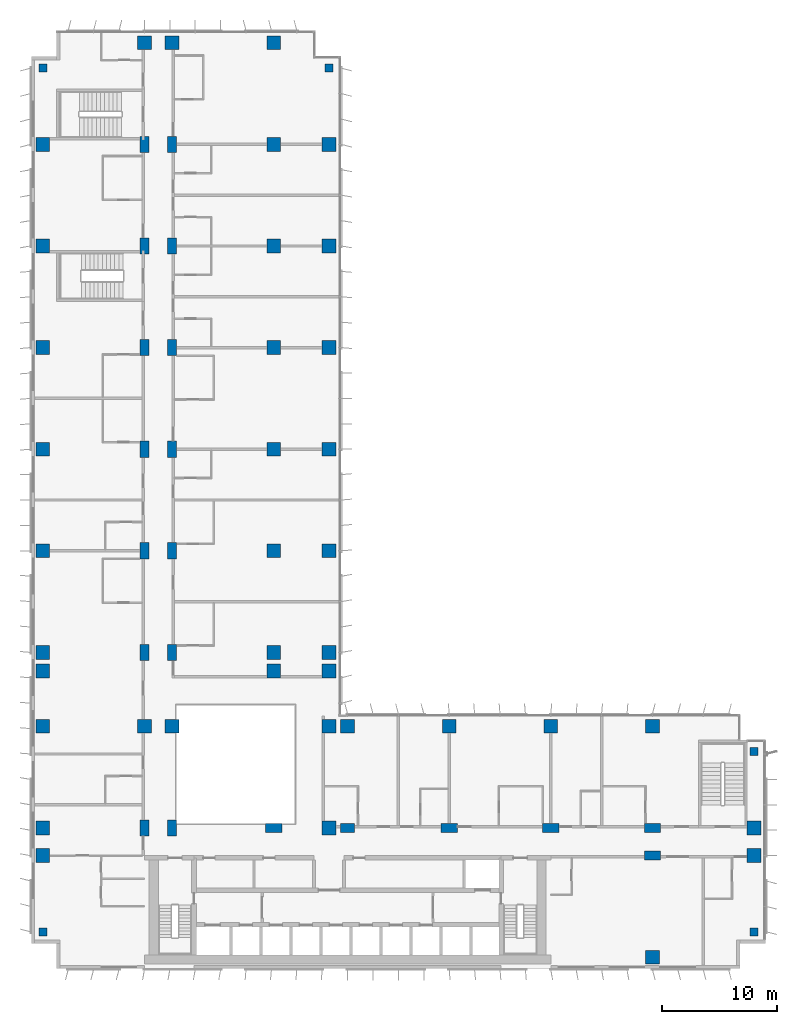
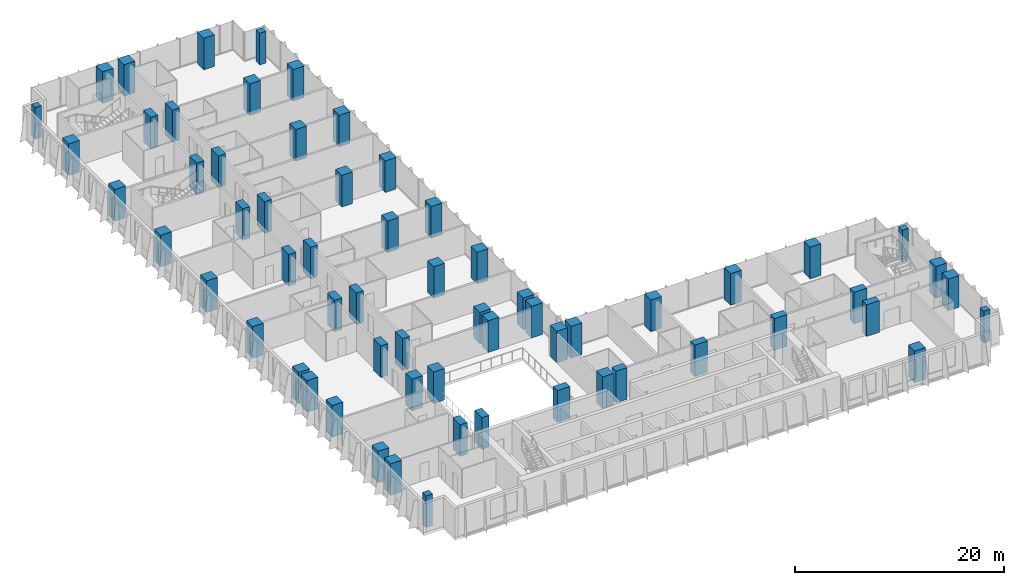
# One storey, part 1 of 22: 63 columns.
"""IFC4 building model written with IfcOpenShell, lengths in metres."""

from ifc_helpers import new_model, si_unit, direction, frame, origin, origin_2d, place, context, subcontext, project, spatial, rectangle, extrude, material, material_profile, profile_set, type_object, element, save


model = new_model("IFC4")

# Units and contexts
model_context = context("Model", 3, precision=1e-05, world=origin(), true_north=direction((0.0, 1.0)))
body_context = subcontext(model_context, "Body", "Model", "MODEL_VIEW")
ifc_project = project(units=[si_unit("LENGTHUNIT", "METRE"), si_unit("AREAUNIT", "SQUARE_METRE"), si_unit("VOLUMEUNIT", "CUBIC_METRE"), si_unit("PLANEANGLEUNIT", "RADIAN"), si_unit("MASSUNIT", "GRAM", prefix="KILO")], contexts=[model_context])

# Site, building, storey
site_placement = place(None, origin())
site = spatial("IfcSite", under=ifc_project, at=site_placement, CompositionType="ELEMENT")
building_placement = place(site_placement, origin())
building = spatial("IfcBuilding", under=site, at=building_placement, Name="Kemantara Hotel Tower", CompositionType="ELEMENT")
storey_placement = place(building_placement, frame((0.0, 0.0, 90.800048828125)))
storey = spatial("IfcBuildingStorey", under=building, at=storey_placement, Name="L21", CompositionType="ELEMENT", Elevation=90.800048828125)

# Columns
ifc_material = material(Name="Concrete fc 70 MPa", Category="concrete")
ifc_material_profile_1 = material_profile(ifc_material, rectangle(XDim=1.199951171875, YDim=1.199951171875, at=origin_2d()), Name="RC 1200X1200")
ifc_profile_set_1 = profile_set([ifc_material_profile_1], Name="Concrete fc 70 MPa")
column_type_1 = type_object("IfcColumnType", Name="RC COLUMN 1200X1200 FC70", PredefinedType="COLUMN", material=ifc_profile_set_1)
for number, where, z_axis, x_axis, name in (
    (1, (1.0, 9.800048828125, 0.0), (0.0, 0.0, 1.0), (1.0, 0.0, 0.0), "COLUMN 1/B L21"),
    (2, (1.0, 12.199951171875, 0.0), (0.0, 0.0, 1.0), (1.0, 0.0, 0.0), "COLUMN 1/BA L21"),
    (3, (1.0, 21.0, 0.0), (0.0, 0.0, 1.0), (1.0, 0.0, 0.0), "COLUMN 1/C L21"),
    (4, (1.0, 25.800048828125, 0.0), (0.0, 0.0, 1.0), (1.0, 0.0, 0.0), "COLUMN 1/CA L21"),
    (5, (1.0, 27.39990234375, 0.0), (0.0, 0.0, 1.0), (1.0, 0.0, 0.0), "COLUMN 1/D L21"),
    (6, (1.0, 36.199951171875, 0.0), (0.0, 0.0, 1.0), (1.0, 0.0, 0.0), "COLUMN 1/E L21"),
    (7, (1.0, 45.0, 0.0), (0.0, 0.0, 1.0), (1.0, 0.0, 0.0), "COLUMN 1/F L21"),
    (8, (1.0, 53.800048828125, 0.0), (0.0, 0.0, 1.0), (1.0, 0.0, 0.0), "COLUMN 1/G L21"),
    (9, (1.0, 62.60009765625, 0.0), (0.0, 0.0, 1.0), (1.0, 0.0, 0.0), "COLUMN 1/H L21"),
    (10, (1.0, 71.39990234375, 0.0), (0.0, 0.0, 1.0), (1.0, 0.0, 0.0), "COLUMN 1/J L21"),
    (11, (9.800048828125, 21.0, 0.0), (0.0, 0.0, 1.0), (1.0, 0.0, 0.0), "COLUMN 2/C L21"),
    (12, (9.800048828125, 80.199951171875, 0.0), (0.0, 0.0, 1.0), (1.0, 0.0, 0.0), "COLUMN 2/K L21"),
    (13, (12.199951171875, 21.0, 0.0), (0.0, 0.0, 1.0), (1.0, 0.0, 0.0), "COLUMN 2A/C L21"),
    (14, (12.199951171875, 80.199951171875, 0.0), (0.0, 0.0, 1.0), (1.0, 0.0, 0.0), "COLUMN 2A/K L21"),
    (15, (21.0, 25.800048828125, 0.0), (0.0, 0.0, 1.0), (1.0, 0.0, 0.0), "COLUMN 3/CA L21"),
    (16, (21.0, 27.39990234375, 0.0), (0.0, 0.0, 1.0), (1.0, 0.0, 0.0), "COLUMN 3/D L21"),
    (17, (21.0, 36.199951171875, 0.0), (0.0, 0.0, 1.0), (1.0, 0.0, 0.0), "COLUMN 3/E L21"),
    (18, (21.0, 45.0, 0.0), (0.0, 0.0, 1.0), (1.0, 0.0, 0.0), "COLUMN 3/F L21"),
    (19, (21.0, 53.800048828125, 0.0), (0.0, 0.0, 1.0), (1.0, 0.0, 0.0), "COLUMN 3/G L21"),
    (20, (21.0, 62.60009765625, 0.0), (0.0, 0.0, 1.0), (1.0, 0.0, 0.0), "COLUMN 3/H L21"),
    (21, (21.0, 71.39990234375, 0.0), (0.0, 0.0, 1.0), (1.0, 0.0, 0.0), "COLUMN 3/J L21"),
    (22, (21.0, 80.199951171875, 0.0), (0.0, 0.0, 1.0), (1.0, 0.0, 0.0), "COLUMN 3/K L21"),
    (23, (25.800048828125, 12.199951171875, 0.0), (0.0, 0.0, 1.0), (1.0, 0.0, 0.0), "COLUMN 3A/BA L21"),
    (24, (25.800048828125, 21.0, 0.0), (0.0, 0.0, 1.0), (1.0, 0.0, 0.0), "COLUMN 3A/C L21"),
    (25, (25.800048828125, 25.800048828125, 0.0), (0.0, 0.0, 1.0), (1.0, 0.0, 0.0), "COLUMN 3A/CA L21"),
    (26, (25.800048828125, 27.39990234375, 0.0), (0.0, 0.0, 1.0), (1.0, 0.0, 0.0), "COLUMN 3A/D L21"),
    (27, (25.800048828125, 36.199951171875, 0.0), (0.0, 0.0, 1.0), (1.0, 0.0, 0.0), "COLUMN 3A/E L21"),
    (28, (25.800048828125, 45.0, 0.0), (0.0, 0.0, 1.0), (1.0, 0.0, 0.0), "COLUMN 3A/F L21"),
    (29, (25.800048828125, 53.800048828125, 0.0), (0.0, 0.0, 1.0), (1.0, 0.0, 0.0), "COLUMN 3A/G L21"),
    (30, (25.800048828125, 62.60009765625, 0.0), (0.0, 0.0, 1.0), (1.0, 0.0, 0.0), "COLUMN 3A/H L21"),
    (31, (25.800048828125, 71.39990234375, 0.0), (0.0, 0.0, 1.0), (1.0, 0.0, 0.0), "COLUMN 3A/J L21"),
    (32, (27.39990234375, 21.0, 0.0), (0.0, 0.0, 1.0), (1.0, 0.0, 0.0), "COLUMN 4/C L21"),
    (33, (36.199951171875, 21.0, 0.0), (0.0, 0.0, 1.0), (1.0, 0.0, 0.0), "COLUMN 5/C L21"),
    (34, (45.0, 21.0, 0.0), (0.0, 0.0, 1.0), (1.0, 0.0, 0.0), "COLUMN 6/C L21"),
    (35, (53.800048828125, 1.0, 0.0), (0.0, 0.0, 1.0), (1.0, 0.0, 0.0), "COLUMN 7/A L21"),
    (36, (53.800048828125, 21.0, 0.0), (0.0, 0.0, 1.0), (1.0, 0.0, 0.0), "COLUMN 7/C L21"),
    (37, (62.60009765625, 9.800048828125, 0.0), (0.0, 0.0, 1.0), (1.0, 0.0, 0.0), "COLUMN 8/B L21"),
    (38, (62.60009765625, 12.199951171875, 0.0), (0.0, 0.0, 1.0), (1.0, 0.0, 0.0), "COLUMN 8/BA L21"),
):
    element("IfcColumn", number, at=place(storey_placement, frame(where, z_axis=z_axis, x_axis=x_axis)), inside=storey, type_object=column_type_1, Name=name, PredefinedType="COLUMN", context=body_context, shape_type="SweptSolid", body=[
        extrude(rectangle(XDim=1.199951171875, YDim=1.199951171875, at=origin_2d()), origin(), (0.0, 0.0, 1.0), 3.699951171875),
    ])
ifc_material_profile_2 = material_profile(ifc_material, rectangle(XDim=1.199951171875, YDim=0.800048828125, at=origin_2d()), Name="RC 1200X800")
ifc_profile_set_2 = profile_set([ifc_material_profile_2], Name="Concrete fc 70 MPa")
column_type_2 = type_object("IfcColumnType", Name="RC COLUMN 1200X800 FC70", PredefinedType="COLUMN", material=ifc_profile_set_2)
column_placement = place(storey_placement, frame((27.39990234375, 12.199951171875, 0.0), z_axis=(0.0, 0.0, 1.0), x_axis=(1.0, 0.0, 0.0)))
element("IfcColumn", 39, at=column_placement, inside=storey, type_object=column_type_2, Name="COLUMN 4/BA L21", PredefinedType="COLUMN", context=body_context, shape_type="SweptSolid", body=[
    extrude(rectangle(XDim=1.199951171875, YDim=0.800048828125, at=origin_2d()), origin(), (0.0, 0.0, 1.0), 3.699951171875),
])
ifc_material_profile_3 = material_profile(ifc_material, rectangle(XDim=1.39990234375, YDim=0.800048828125, at=origin_2d()), Name="RC 1400X800")
ifc_profile_set_3 = profile_set([ifc_material_profile_3], Name="Concrete fc 70 MPa")
column_type_3 = type_object("IfcColumnType", Name="RC COLUMN 1400X800 FC70", PredefinedType="COLUMN", material=ifc_profile_set_3)
for number, where, z_axis, x_axis, name in (
    (40, (9.800048828125, 12.199951171875, 0.0), (0.0, 0.0, 1.0), (0.0, 1.0, 0.0), "COLUMN 2/BA L21"),
    (41, (9.800048828125, 27.39990234375, 0.0), (0.0, 0.0, 1.0), (0.0, 1.0, 0.0), "COLUMN 2/D L21"),
    (42, (9.800048828125, 36.199951171875, 0.0), (0.0, 0.0, 1.0), (0.0, 1.0, 0.0), "COLUMN 2/E L21"),
    (43, (9.800048828125, 45.0, 0.0), (0.0, 0.0, 1.0), (0.0, 1.0, 0.0), "COLUMN 2/F L21"),
    (44, (9.800048828125, 53.800048828125, 0.0), (0.0, 0.0, 1.0), (0.0, 1.0, 0.0), "COLUMN 2/G L21"),
    (45, (9.800048828125, 62.60009765625, 0.0), (0.0, 0.0, 1.0), (0.0, 1.0, 0.0), "COLUMN 2/H L21"),
    (46, (9.800048828125, 71.39990234375, 0.0), (0.0, 0.0, 1.0), (0.0, 1.0, 0.0), "COLUMN 2/J L21"),
    (47, (12.199951171875, 12.199951171875, 0.0), (0.0, 0.0, 1.0), (0.0, 1.0, 0.0), "COLUMN 2A/BA L21"),
    (48, (12.199951171875, 27.39990234375, 0.0), (0.0, 0.0, 1.0), (0.0, 1.0, 0.0), "COLUMN 2A/D L21"),
    (49, (12.199951171875, 36.199951171875, 0.0), (0.0, 0.0, 1.0), (0.0, 1.0, 0.0), "COLUMN 2A/E L21"),
    (50, (12.199951171875, 45.0, 0.0), (0.0, 0.0, 1.0), (0.0, 1.0, 0.0), "COLUMN 2A/F L21"),
    (51, (12.199951171875, 53.800048828125, 0.0), (0.0, 0.0, 1.0), (0.0, 1.0, 0.0), "COLUMN 2A/G L21"),
    (52, (12.199951171875, 62.60009765625, 0.0), (0.0, 0.0, 1.0), (0.0, 1.0, 0.0), "COLUMN 2A/H L21"),
    (53, (12.199951171875, 71.39990234375, 0.0), (0.0, 0.0, 1.0), (0.0, 1.0, 0.0), "COLUMN 2A/J L21"),
    (54, (21.0, 12.199951171875, 0.0), (0.0, 0.0, 1.0), (1.0, 0.0, 0.0), "COLUMN 3/BA L21"),
    (55, (36.199951171875, 12.199951171875, 0.0), (0.0, 0.0, 1.0), (1.0, 0.0, 0.0), "COLUMN 5/BA L21"),
    (56, (45.0, 12.199951171875, 0.0), (0.0, 0.0, 1.0), (1.0, 0.0, 0.0), "COLUMN 6/BA L21"),
    (57, (53.800048828125, 9.800048828125, 0.0), (0.0, 0.0, 1.0), (1.0, 0.0, 0.0), "COLUMN 7/B L21"),
    (58, (53.800048828125, 12.199951171875, 0.0), (0.0, 0.0, 1.0), (1.0, 0.0, 0.0), "COLUMN 7/BA L21"),
):
    element("IfcColumn", number, at=place(storey_placement, frame(where, z_axis=z_axis, x_axis=x_axis)), inside=storey, type_object=column_type_3, Name=name, PredefinedType="COLUMN", context=body_context, shape_type="SweptSolid", body=[
        extrude(rectangle(XDim=1.39990234375, YDim=0.800048828125, at=origin_2d()), origin(), (0.0, 0.0, 1.0), 3.699951171875),
    ])
ifc_material_profile_4 = material_profile(ifc_material, rectangle(XDim=0.699951171875, YDim=0.699951171875, at=origin_2d()), Name="RC 700X700")
ifc_profile_set_4 = profile_set([ifc_material_profile_4], Name="Concrete fc 70 MPa")
column_type_4 = type_object("IfcColumnType", Name="RC COLUMN 700X700 FC70", PredefinedType="COLUMN", material=ifc_profile_set_4)
for number, where, z_axis, x_axis, name in (
    (59, (1.0, 3.199951171875, 0.0), (0.0, 0.0, 1.0), (1.0, 0.0, 0.0), "COLUMN notch corner L21"),
    (60, (1.0, 78.0, 0.0), (0.0, 0.0, 1.0), (1.0, 0.0, 0.0), "COLUMN notch corner L21"),
    (61, (25.800048828125, 78.0, 0.0), (0.0, 0.0, 1.0), (1.0, 0.0, 0.0), "COLUMN notch corner L21"),
    (62, (62.60009765625, 3.199951171875, 0.0), (0.0, 0.0, 1.0), (1.0, 0.0, 0.0), "COLUMN notch corner L21"),
    (63, (62.60009765625, 18.800048828125, 0.0), (0.0, 0.0, 1.0), (1.0, 0.0, 0.0), "COLUMN notch corner L21"),
):
    element("IfcColumn", number, at=place(storey_placement, frame(where, z_axis=z_axis, x_axis=x_axis)), inside=storey, type_object=column_type_4, Name=name, PredefinedType="COLUMN", context=body_context, shape_type="SweptSolid", body=[
        extrude(rectangle(XDim=0.699951171875, YDim=0.699951171875, at=origin_2d()), origin(), (0.0, 0.0, 1.0), 3.699951171875),
    ])

save(model, "model.ifc")
